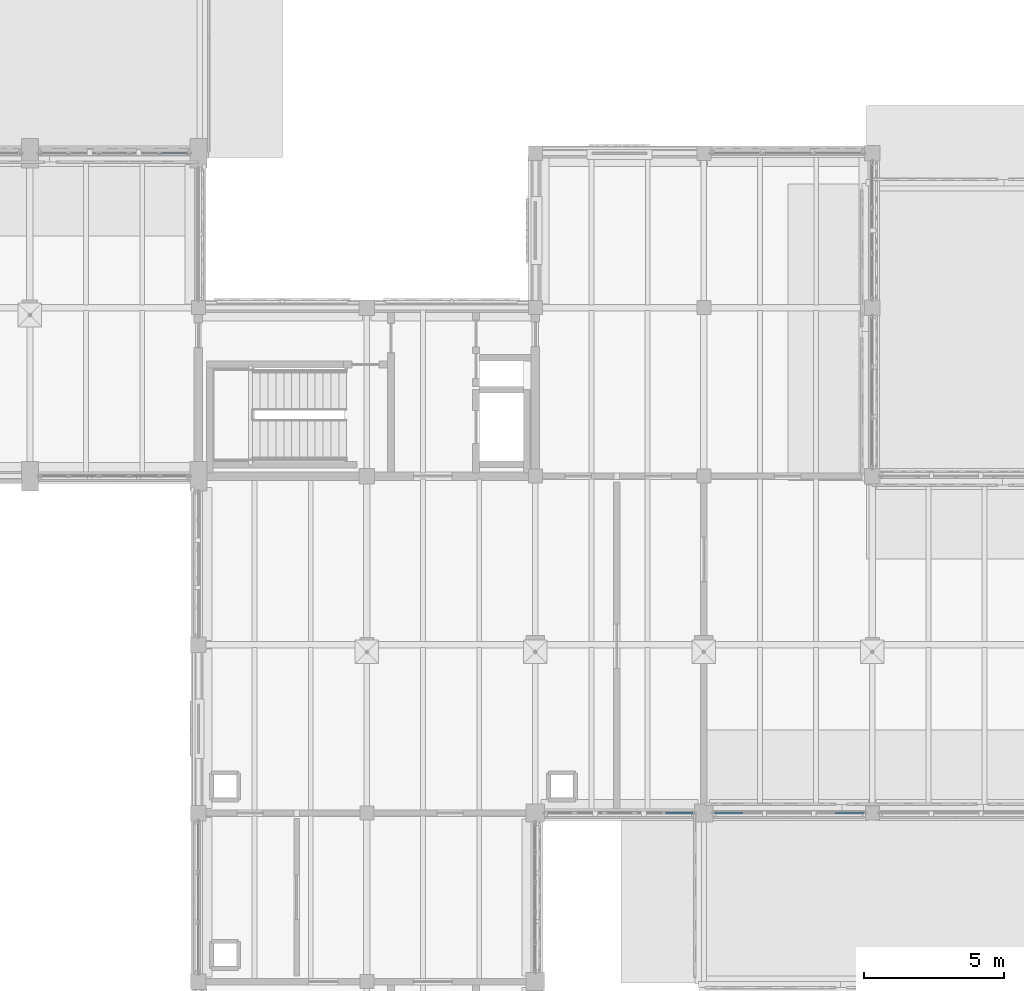
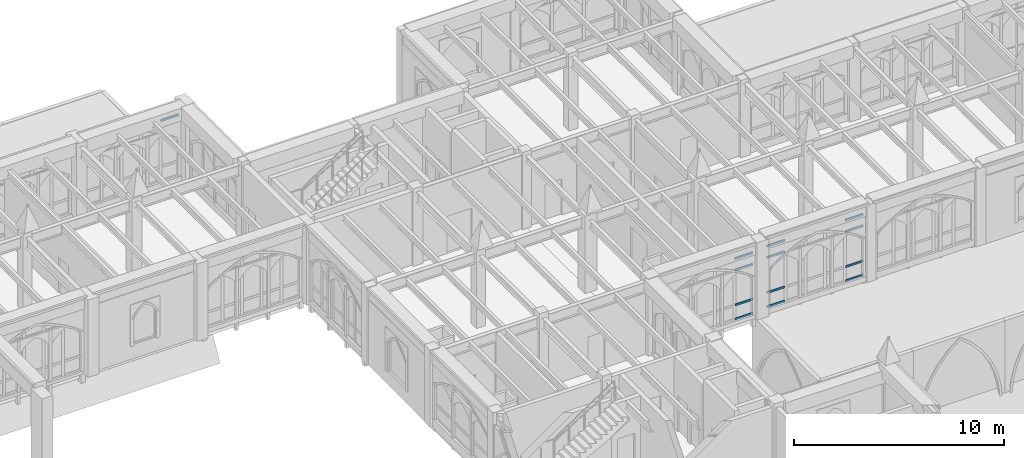
# One storey, part 83 of 143: 13 members, 3 elements without a shape of their own.
"""IFC4 building model written with IfcOpenShell, lengths in metres."""

from ifc_helpers import new_model, si_unit, direction, frame, origin, origin_2d, place, context, subcontext, project, spatial, hollow_rectangle, extrude, material, layer, layer_set, material_profile, profile_set, type_object, element, aggregate, save


model = new_model("IFC4")

# Units and contexts
model_context = context("Model", 3, precision=1e-05, world=origin(), true_north=direction((0.0, 1.0)))
body_context = subcontext(model_context, "Body", "Model", "MODEL_VIEW")
ifc_project = project(units=[si_unit("LENGTHUNIT", "METRE"), si_unit("AREAUNIT", "SQUARE_METRE"), si_unit("VOLUMEUNIT", "CUBIC_METRE"), si_unit("PLANEANGLEUNIT", "RADIAN"), si_unit("MASSUNIT", "GRAM", prefix="KILO")], contexts=[model_context])

# Site, building, storey
site_placement = place(None, origin())
site = spatial("IfcSite", under=ifc_project, at=site_placement, CompositionType="ELEMENT")
building_placement = place(site_placement, origin())
building = spatial("IfcBuilding", under=site, at=building_placement, Name="Cumevento Cable Car Station", CompositionType="ELEMENT")
storey_placement = place(building_placement, frame((0.0, 0.0, 9.0)))
storey = spatial("IfcBuildingStorey", under=building, at=storey_placement, Name="L03", CompositionType="ELEMENT", Elevation=9.0)

# Curtain wall, member
ifc_material_1 = material(Name="Anodised Bronze Aluminium AW-6063-T6", Category="aluminium")
ifc_layer_1 = layer(ifc_material_1, 0.177978515625)
ifc_layer_set_1 = layer_set([ifc_layer_1], Name="Anodised Bronze Aluminium AW-6063-T6")
curtain_wall_type_1 = type_object("IfcCurtainWallType", Name="Lancet Curtain Wall CW-04 1170", PredefinedType="NOTDEFINED", material=ifc_layer_set_1)
curtain_wall_1_placement = place(storey_placement, origin())
curtain_wall_1 = element("IfcCurtainWall", 1, at=curtain_wall_1_placement, inside=storey, type_object=curtain_wall_type_1, Name="Lancet Curtain Wall CW-04 L03 #115", PredefinedType="NOTDEFINED")
ifc_material_2 = material(Name="Anodised Bronze Aluminium AW-6063-T6", Category="aluminium")
ifc_material_profile = material_profile(ifc_material_2, hollow_rectangle(XDim=0.06494140625, YDim=0.1201171875, WallThickness=0.00390625, at=origin_2d()), Name="ALUT65x120x4")
ifc_profile_set = profile_set([ifc_material_profile], Name="Anodised Bronze Aluminium AW-6063-T6")
member_type = type_object("IfcMemberType", Name="Curtain Transom CWT-01 ALUT65x120x4", PredefinedType="USERDEFINED", material=ifc_profile_set)
member_1_placement = place(storey_placement, frame((116.652587890625, 56.5, 3.8125), z_axis=(1.0, 0.0, 0.0), x_axis=(0.0, 1.0, 0.0)))
member_1 = element("IfcMember", 2, at=member_1_placement, type_object=member_type, Name="CW-04 transom 5.4", ObjectType="TRANSOM", PredefinedType="USERDEFINED", context=body_context, shape_type="SweptSolid", body=[
    extrude(hollow_rectangle(XDim=0.06494140625, YDim=0.1201171875, WallThickness=0.00390625, at=origin_2d()), origin(), (0.0, 0.0, 1.0), 0.982421875),
])
aggregate(curtain_wall_1, [member_1])

# Curtain wall, members
ifc_material_3 = material(Name="Anodised Bronze Aluminium AW-6063-T6", Category="aluminium")
ifc_layer_2 = layer(ifc_material_3, 0.166015625)
ifc_layer_set_2 = layer_set([ifc_layer_2], Name="Anodised Bronze Aluminium AW-6063-T6")
curtain_wall_type_2 = type_object("IfcCurtainWallType", Name="Lancet Curtain Wall CW-02 1090", PredefinedType="NOTDEFINED", material=ifc_layer_set_2)
curtain_wall_2_placement = place(storey_placement, origin())
curtain_wall_2 = element("IfcCurtainWall", 3, at=curtain_wall_2_placement, inside=storey, type_object=curtain_wall_type_2, Name="Lancet Curtain Wall CW-02 L03 #129", PredefinedType="NOTDEFINED")
member_2_placement = place(storey_placement, frame((135.610107421875, 33.0, 0.242431640625), z_axis=(-1.0, 0.0, 0.0), x_axis=(0.0, -1.0, 0.0)))
member_2 = element("IfcMember", 4, at=member_2_placement, type_object=member_type, Name="CW-02 transom 1.1", ObjectType="TRANSOM", PredefinedType="USERDEFINED", context=body_context, shape_type="SweptSolid", body=[
    extrude(hollow_rectangle(XDim=0.06494140625, YDim=0.1201171875, WallThickness=0.00390625, at=origin_2d()), origin(), (0.0, 0.0, 1.0), 0.97265625),
])
member_3_placement = place(storey_placement, frame((135.610107421875, 33.0, 1.06005859375), z_axis=(-1.0, 0.0, 0.0), x_axis=(0.0, -1.0, 0.0)))
member_3 = element("IfcMember", 5, at=member_3_placement, type_object=member_type, Name="CW-02 transom 1.2", ObjectType="TRANSOM", PredefinedType="USERDEFINED", context=body_context, shape_type="SweptSolid", body=[
    extrude(hollow_rectangle(XDim=0.06494140625, YDim=0.1201171875, WallThickness=0.00390625, at=origin_2d()), origin(), (0.0, 0.0, 1.0), 0.97265625),
])
member_4_placement = place(storey_placement, frame((135.610107421875, 33.0, 3.077880859375), z_axis=(-1.0, 0.0, 0.0), x_axis=(0.0, -1.0, 0.0)))
member_4 = element("IfcMember", 6, at=member_4_placement, type_object=member_type, Name="CW-02 transom 1.3", ObjectType="TRANSOM", PredefinedType="USERDEFINED", context=body_context, shape_type="SweptSolid", body=[
    extrude(hollow_rectangle(XDim=0.06494140625, YDim=0.1201171875, WallThickness=0.00390625, at=origin_2d()), origin(), (0.0, 0.0, 1.0), 0.97265625),
])
member_5_placement = place(storey_placement, frame((135.610107421875, 33.0, 3.74560546875), z_axis=(-1.0, 0.0, 0.0), x_axis=(0.0, -1.0, 0.0)))
member_5 = element("IfcMember", 7, at=member_5_placement, type_object=member_type, Name="CW-02 transom 1.4", ObjectType="TRANSOM", PredefinedType="USERDEFINED", context=body_context, shape_type="SweptSolid", body=[
    extrude(hollow_rectangle(XDim=0.06494140625, YDim=0.1201171875, WallThickness=0.00390625, at=origin_2d()), origin(), (0.0, 0.0, 1.0), 0.97265625),
])
aggregate(curtain_wall_2, [member_2, member_3, member_4, member_5])

curtain_wall_3_placement = place(storey_placement, origin())
curtain_wall_3 = element("IfcCurtainWall", 8, at=curtain_wall_3_placement, inside=storey, type_object=curtain_wall_type_1, Name="Lancet Curtain Wall CW-04 L03 #131", PredefinedType="NOTDEFINED")
member_6_placement = place(storey_placement, frame((141.68505859375, 33.0, 0.342529296875), z_axis=(-1.0, 0.0, 0.0), x_axis=(0.0, -1.0, 0.0)))
member_6 = element("IfcMember", 9, at=member_6_placement, type_object=member_type, Name="CW-04 transom 1.1", ObjectType="TRANSOM", PredefinedType="USERDEFINED", context=body_context, shape_type="SweptSolid", body=[
    extrude(hollow_rectangle(XDim=0.06494140625, YDim=0.1201171875, WallThickness=0.00390625, at=origin_2d()), origin(), (0.0, 0.0, 1.0), 0.987548828125),
])
member_7_placement = place(storey_placement, frame((141.68505859375, 33.0, 1.159912109375), z_axis=(-1.0, 0.0, 0.0), x_axis=(0.0, -1.0, 0.0)))
member_7 = element("IfcMember", 10, at=member_7_placement, type_object=member_type, Name="CW-04 transom 1.2", ObjectType="TRANSOM", PredefinedType="USERDEFINED", context=body_context, shape_type="SweptSolid", body=[
    extrude(hollow_rectangle(XDim=0.06494140625, YDim=0.1201171875, WallThickness=0.00390625, at=origin_2d()), origin(), (0.0, 0.0, 1.0), 0.987548828125),
])
member_8_placement = place(storey_placement, frame((141.68505859375, 33.0, 3.193115234375), z_axis=(-1.0, 0.0, 0.0), x_axis=(0.0, -1.0, 0.0)))
member_8 = element("IfcMember", 11, at=member_8_placement, type_object=member_type, Name="CW-04 transom 1.3", ObjectType="TRANSOM", PredefinedType="USERDEFINED", context=body_context, shape_type="SweptSolid", body=[
    extrude(hollow_rectangle(XDim=0.06494140625, YDim=0.1201171875, WallThickness=0.00390625, at=origin_2d()), origin(), (0.0, 0.0, 1.0), 0.987548828125),
])
member_9_placement = place(storey_placement, frame((141.68505859375, 33.0, 3.860595703125), z_axis=(-1.0, 0.0, 0.0), x_axis=(0.0, -1.0, 0.0)))
member_9 = element("IfcMember", 12, at=member_9_placement, type_object=member_type, Name="CW-04 transom 1.4", ObjectType="TRANSOM", PredefinedType="USERDEFINED", context=body_context, shape_type="SweptSolid", body=[
    extrude(hollow_rectangle(XDim=0.06494140625, YDim=0.1201171875, WallThickness=0.00390625, at=origin_2d()), origin(), (0.0, 0.0, 1.0), 0.987548828125),
])
member_10_placement = place(storey_placement, frame((137.37744140625, 33.0, 0.342529296875), z_axis=(-1.0, 0.0, 0.0), x_axis=(0.0, -1.0, 0.0)))
member_10 = element("IfcMember", 13, at=member_10_placement, type_object=member_type, Name="CW-04 transom 5.1", ObjectType="TRANSOM", PredefinedType="USERDEFINED", context=body_context, shape_type="SweptSolid", body=[
    extrude(hollow_rectangle(XDim=0.06494140625, YDim=0.1201171875, WallThickness=0.00390625, at=origin_2d()), origin(), (0.0, 0.0, 1.0), 0.987548828125),
])
member_11_placement = place(storey_placement, frame((137.37744140625, 33.0, 1.159912109375), z_axis=(-1.0, 0.0, 0.0), x_axis=(0.0, -1.0, 0.0)))
member_11 = element("IfcMember", 14, at=member_11_placement, type_object=member_type, Name="CW-04 transom 5.2", ObjectType="TRANSOM", PredefinedType="USERDEFINED", context=body_context, shape_type="SweptSolid", body=[
    extrude(hollow_rectangle(XDim=0.06494140625, YDim=0.1201171875, WallThickness=0.00390625, at=origin_2d()), origin(), (0.0, 0.0, 1.0), 0.987548828125),
])
member_12_placement = place(storey_placement, frame((137.37744140625, 33.0, 3.193115234375), z_axis=(-1.0, 0.0, 0.0), x_axis=(0.0, -1.0, 0.0)))
member_12 = element("IfcMember", 15, at=member_12_placement, type_object=member_type, Name="CW-04 transom 5.3", ObjectType="TRANSOM", PredefinedType="USERDEFINED", context=body_context, shape_type="SweptSolid", body=[
    extrude(hollow_rectangle(XDim=0.06494140625, YDim=0.1201171875, WallThickness=0.00390625, at=origin_2d()), origin(), (0.0, 0.0, 1.0), 0.987548828125),
])
member_13_placement = place(storey_placement, frame((137.37744140625, 33.0, 3.860595703125), z_axis=(-1.0, 0.0, 0.0), x_axis=(0.0, -1.0, 0.0)))
member_13 = element("IfcMember", 16, at=member_13_placement, type_object=member_type, Name="CW-04 transom 5.4", ObjectType="TRANSOM", PredefinedType="USERDEFINED", context=body_context, shape_type="SweptSolid", body=[
    extrude(hollow_rectangle(XDim=0.06494140625, YDim=0.1201171875, WallThickness=0.00390625, at=origin_2d()), origin(), (0.0, 0.0, 1.0), 0.987548828125),
])
aggregate(curtain_wall_3, [member_6, member_7, member_8, member_9, member_10, member_11, member_12, member_13])

save(model, "model.ifc")
